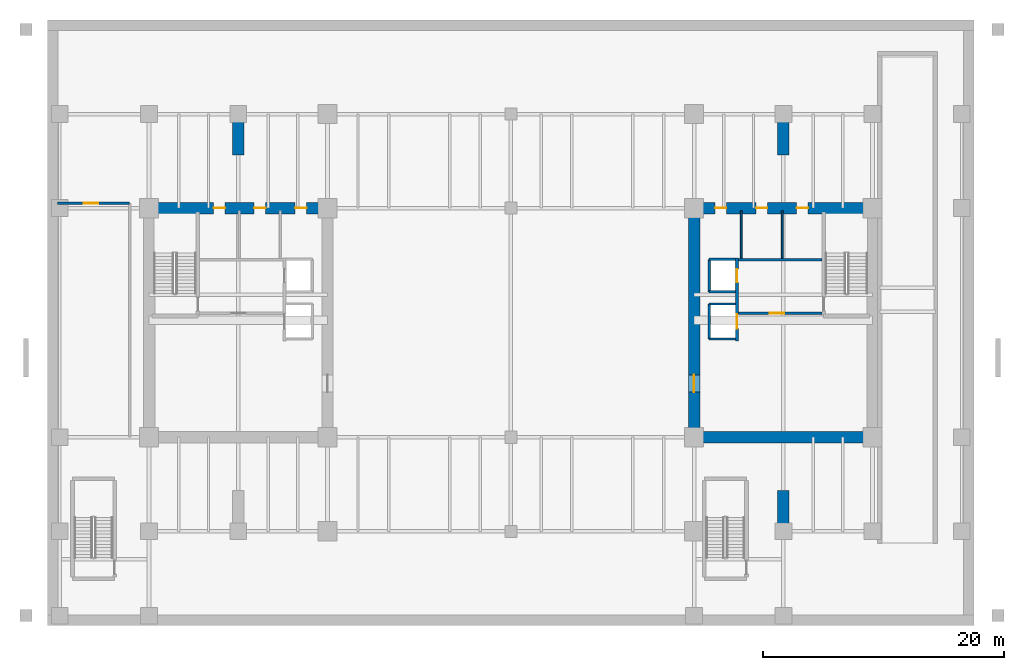
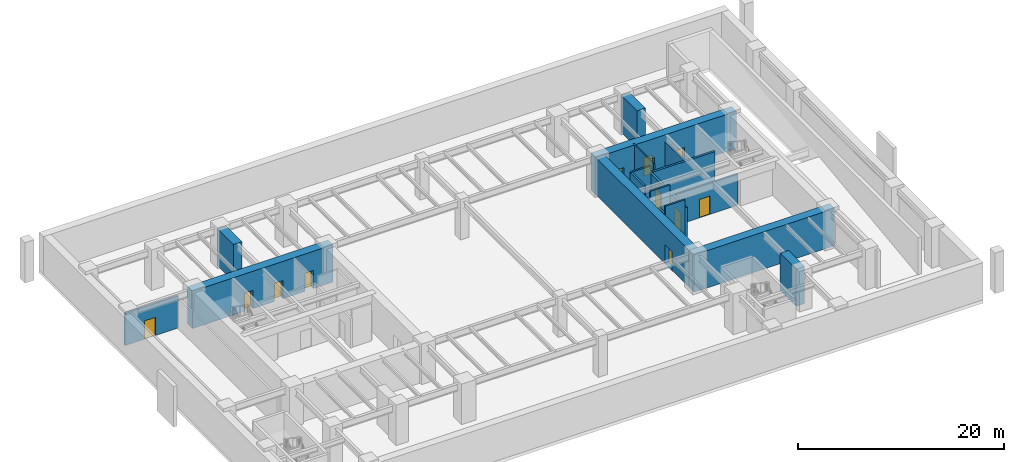
# One storey, part 3 of 6: 19 walls, 11 doors, 11 openings.
"""IFC4 building model written with IfcOpenShell, lengths in metres."""

from ifc_helpers import new_model, si_unit, direction, frame, frame_2d, origin, place, context, subcontext, project, spatial, rectangle, extrude, source, transform, mapped, material, layer, layer_set, type_object, type_shapes, element, fill, save


model = new_model("IFC4")

# Units and contexts
model_context = context("Model", 3, precision=1e-05, world=origin(), true_north=direction((0.0, 1.0)))
body_context = subcontext(model_context, "Body", "Model", "MODEL_VIEW")
ifc_project = project(units=[si_unit("LENGTHUNIT", "METRE"), si_unit("AREAUNIT", "SQUARE_METRE"), si_unit("VOLUMEUNIT", "CUBIC_METRE"), si_unit("PLANEANGLEUNIT", "RADIAN"), si_unit("MASSUNIT", "GRAM", prefix="KILO")], contexts=[model_context])

# Site, building, storey
site_placement = place(None, origin())
site = spatial("IfcSite", under=ifc_project, at=site_placement, CompositionType="ELEMENT")
building_placement = place(site_placement, origin())
building = spatial("IfcBuilding", under=site, at=building_placement, Name="Haelvirn Gate Laboratories", CompositionType="ELEMENT")
storey_placement = place(building_placement, frame((0.0, 0.0, -9.60009765625)))
storey = spatial("IfcBuildingStorey", under=building, at=storey_placement, Name="B2", CompositionType="ELEMENT", Elevation=-9.60009765625)

# Wall, opening, door
ifc_material_1 = material(Name="Fire-rated gypsum shaft-liner partition", Category="gypsum")
ifc_layer_1 = layer(ifc_material_1, 0.18505859375, Name="IW-PART-180")
ifc_layer_set_1 = layer_set([ifc_layer_1], Name="Fire-rated gypsum shaft-liner partition")
wall_type_1 = type_object("IfcWallType", Name="IW-PART-180", PredefinedType="SOLIDWALL", material=ifc_layer_set_1)
wall_1_placement = place(storey_placement, frame((-0.199951171875, 34.199951171875, 0.0), z_axis=(0.0, 0.0, 1.0), x_axis=(1.0, 0.0, 0.0)))
wall_1 = element("IfcWall", 1, at=wall_1_placement, inside=storey, type_object=wall_type_1, Name="B2 Interior Wall IW-B2-CYC-N", PredefinedType="SOLIDWALL", context=body_context, shape_type="SweptSolid", body=[
    extrude(rectangle(XDim=6.0, YDim=0.18505859375, at=frame_2d((3.0, 0.0))), origin(), (0.0, 0.0, 1.0), 3.80517578125),
])
opening_1_placement = place(wall_1_placement, frame((2.199951171875, 0.0, 0.0)))
opening_1 = element("IfcOpeningElement", 2, at=opening_1_placement, cuts=wall_1, Name="Opening FD2", PredefinedType="OPENING", context=body_context, shape_type="SweptSolid", body=[
    extrude(rectangle(XDim=1.199951171875, YDim=2.159912109375, at=frame_2d((0.60009765625, 1.080078125))), frame((0.0, 0.1025390625, 0.0), z_axis=(0.0, -1.0, 0.0), x_axis=(1.0, 0.0, 0.0)), (0.0, 0.0, 1.0), 0.205078125),
])
ifc_material_2 = material(Name="Fire-rated steel SM355 compartment door", Category="steel")
door_type_1 = type_object("IfcDoorType", Name="DR-FD-1200", OperationType="NOTDEFINED", PredefinedType="DOOR", material=ifc_material_2)
shared_shape_1 = source(origin(), body_context, "Body", "SweptSolid", [
    extrude(rectangle(XDim=1.199951171875, YDim=2.159912109375, at=frame_2d((0.60009765625, 1.080078125))), frame((0.0, 0.02490234375, 0.0), z_axis=(0.0, -1.0, 0.0), x_axis=(1.0, 0.0, 0.0)), (0.0, 0.0, 1.0), 0.050048828125),
])
type_shapes(door_type_1, [shared_shape_1])
door_1_placement = place(opening_1_placement, origin())
door_1 = element("IfcDoor", 3, at=door_1_placement, inside=storey, type_object=door_type_1, Name="B2 Cycle Store Door", OperationType="SINGLE_SWING_LEFT", OverallHeight=2.159912109375, OverallWidth=1.199951171875, PredefinedType="DOOR", context=body_context, shape_type="MappedRepresentation", body=[
    mapped(shared_shape_1, transform((0.0, 0.0, 0.0), scale=1.0)),
])
fill(opening_1, door_1)

# Walls
ifc_material_3 = material(Name="Cement-board restroom plumbing chase wall", Category="gypsum")
ifc_layer_2 = layer(ifc_material_3, 0.155029296875, Name="IW-PLUMB-160")
ifc_layer_set_2 = layer_set([ifc_layer_2], Name="Cement-board restroom plumbing chase wall")
wall_type_2 = type_object("IfcWallType", Name="IW-PLUMB-160", PredefinedType="PLUMBINGWALL", material=ifc_layer_set_2)
wall_2_placement = place(storey_placement, frame((59.909912109375, 29.64990234375, 0.0), z_axis=(0.0, 0.0, 1.0), x_axis=(0.0, 1.0, 0.0)))
element("IfcWall", 4, at=wall_2_placement, inside=storey, type_object=wall_type_2, Name="B2 Interior Wall IW-B2-E-CDIV-1", PredefinedType="PLUMBINGWALL", context=body_context, shape_type="SweptSolid", body=[
    extrude(rectangle(XDim=3.93017578125, YDim=0.155029296875, at=frame_2d((1.965087890625, 0.0))), origin(), (0.0, 0.0, 1.0), 3.655029296875),
])
wall_3_placement = place(storey_placement, frame((56.510009765625, 29.64990234375, 0.0), z_axis=(0.0, 0.0, 1.0), x_axis=(0.0, 1.0, 0.0)))
element("IfcWall", 5, at=wall_3_placement, inside=storey, type_object=wall_type_2, Name="B2 Interior Wall IW-B2-E-CDIV-2", PredefinedType="PLUMBINGWALL", context=body_context, shape_type="SweptSolid", body=[
    extrude(rectangle(XDim=3.93017578125, YDim=0.155029296875, at=frame_2d((1.965087890625, 0.0))), origin(), (0.0, 0.0, 1.0), 4.420166015625),
])
ifc_material_4 = material(Name="Concrete C40/50", Category="concrete")
ifc_layer_3 = layer(ifc_material_4, 0.199951171875, Name="IW-SHAFT-200")
ifc_layer_set_3 = layer_set([ifc_layer_3], Name="Concrete C40/50")
wall_type_3 = type_object("IfcWallType", Name="IW-SHAFT-200", PredefinedType="SOLIDWALL", material=ifc_layer_set_3)
wall_4_placement = place(storey_placement, frame((53.85009765625, 26.85009765625, 0.0), z_axis=(0.0, 0.0, 1.0), x_axis=(0.0, 1.0, 0.0)))
element("IfcWall", 6, at=wall_4_placement, inside=storey, type_object=wall_type_3, Name="B2 Interior Wall IW-B2-FL2-BK", PredefinedType="SOLIDWALL", context=body_context, shape_type="SweptSolid", body=[
    extrude(rectangle(XDim=2.699951171875, YDim=0.199951171875, at=frame_2d((1.35009765625, 0.0))), origin(), (0.0, 0.0, 1.0), 4.420166015625),
])
wall_5_placement = place(storey_placement, frame((53.85009765625, 29.550048828125, 0.0), z_axis=(0.0, 0.0, 1.0), x_axis=(1.0, 0.0, 0.0)))
element("IfcWall", 7, at=wall_5_placement, inside=storey, type_object=wall_type_3, Name="B2 Interior Wall IW-B2-FL2-N", PredefinedType="SOLIDWALL", context=body_context, shape_type="SweptSolid", body=[
    extrude(rectangle(XDim=2.18994140625, YDim=0.199951171875, at=frame_2d((1.094970703125, 0.0))), origin(), (0.0, 0.0, 1.0), 4.420166015625),
])
wall_6_placement = place(storey_placement, frame((53.85009765625, 26.85009765625, 0.0), z_axis=(0.0, 0.0, 1.0), x_axis=(1.0, 0.0, 0.0)))
element("IfcWall", 8, at=wall_6_placement, inside=storey, type_object=wall_type_3, Name="B2 Interior Wall IW-B2-FL2-S", PredefinedType="SOLIDWALL", context=body_context, shape_type="SweptSolid", body=[
    extrude(rectangle(XDim=2.18994140625, YDim=0.199951171875, at=frame_2d((1.094970703125, 0.0))), origin(), (0.0, 0.0, 1.0), 3.817138671875),
])
wall_7_placement = place(storey_placement, frame((53.85009765625, 22.949951171875, 0.0), z_axis=(0.0, 0.0, 1.0), x_axis=(0.0, 1.0, 0.0)))
element("IfcWall", 9, at=wall_7_placement, inside=storey, type_object=wall_type_3, Name="B2 Interior Wall IW-B2-SL2-BK", PredefinedType="SOLIDWALL", context=body_context, shape_type="SweptSolid", body=[
    extrude(rectangle(XDim=2.900146484375, YDim=0.199951171875, at=frame_2d((1.4501953125, 0.0))), origin(), (0.0, 0.0, 1.0), 3.505126953125),
])
for number, where, z_axis, x_axis, name in (
    (10, (53.85009765625, 25.85009765625, 0.0), (0.0, 0.0, 1.0), (1.0, 0.0, 0.0), "B2 Interior Wall IW-B2-SL2-N"),
    (11, (53.85009765625, 22.949951171875, 0.0), (0.0, 0.0, 1.0), (1.0, 0.0, 0.0), "B2 Interior Wall IW-B2-SL2-S"),
):
    element("IfcWall", number, at=place(storey_placement, frame(where, z_axis=z_axis, x_axis=x_axis)), inside=storey, type_object=wall_type_3, Name=name, PredefinedType="SOLIDWALL", context=body_context, shape_type="SweptSolid", body=[
        extrude(rectangle(XDim=2.18994140625, YDim=0.199951171875, at=frame_2d((1.094970703125, 0.0))), origin(), (0.0, 0.0, 1.0), 4.420166015625),
    ])

# Wall, opening, door
ifc_layer_4 = layer(ifc_material_4, 0.239990234375, Name="IW-SHAFT-240")
ifc_layer_set_4 = layer_set([ifc_layer_4], Name="Concrete C40/50")
wall_type_4 = type_object("IfcWallType", Name="IW-SHAFT-240", PredefinedType="SOLIDWALL", material=ifc_layer_set_4)
wall_8_placement = place(storey_placement, frame((56.280029296875, 25.080078125, 0.0), z_axis=(0.0, 0.0, 1.0), x_axis=(1.0, 0.0, 0.0)))
wall_8 = element("IfcWall", 12, at=wall_8_placement, inside=storey, type_object=wall_type_4, Name="B2 Interior Wall IW-B2-E-FF-S", PredefinedType="SOLIDWALL", context=body_context, shape_type="SweptSolid", body=[
    extrude(rectangle(XDim=6.919921875, YDim=0.239990234375, at=frame_2d((3.4599609375, 0.0))), origin(), (0.0, 0.0, 1.0), 3.655029296875),
])
opening_2_placement = place(wall_8_placement, frame((2.60009765625, 0.0, 0.0)))
opening_2 = element("IfcOpeningElement", 13, at=opening_2_placement, cuts=wall_8, Name="Opening FD2", PredefinedType="OPENING", context=body_context, shape_type="SweptSolid", body=[
    extrude(rectangle(XDim=1.199951171875, YDim=2.159912109375, at=frame_2d((0.60009765625, 1.080078125))), frame((0.0, 0.1298828125, 0.0), z_axis=(0.0, -1.0, 0.0), x_axis=(1.0, 0.0, 0.0)), (0.0, 0.0, 1.0), 0.260009765625),
])
door_2_placement = place(opening_2_placement, origin())
door_2 = element("IfcDoor", 14, at=door_2_placement, inside=storey, type_object=door_type_1, Name="B2 East Firefighting Lobby Door", OperationType="SINGLE_SWING_LEFT", OverallHeight=2.159912109375, OverallWidth=1.199951171875, PredefinedType="DOOR", context=body_context, shape_type="MappedRepresentation", body=[
    mapped(shared_shape_1, transform((0.0, 0.0, 0.0), scale=1.0)),
])
fill(opening_2, door_2)

# Wall
wall_9_placement = place(storey_placement, frame((56.280029296875, 29.52001953125, 0.0), z_axis=(0.0, 0.0, 1.0), x_axis=(1.0, 0.0, 0.0)))
element("IfcWall", 15, at=wall_9_placement, inside=storey, type_object=wall_type_4, Name="B2 Interior Wall IW-B2-E-FF-N", PredefinedType="SOLIDWALL", context=body_context, shape_type="SweptSolid", body=[
    extrude(rectangle(XDim=6.919921875, YDim=0.239990234375, at=frame_2d((3.4599609375, 0.0))), origin(), (0.0, 0.0, 1.0), 3.655029296875),
])

# Wall, openings, doors
wall_10_placement = place(storey_placement, frame((56.159912109375, 22.800048828125, 0.0), z_axis=(0.0, 0.0, 1.0), x_axis=(0.0, 1.0, 0.0)))
wall_10 = element("IfcWall", 16, at=wall_10_placement, inside=storey, type_object=wall_type_4, Name="B2 Interior Wall IW-B2-E-FF-E", PredefinedType="SOLIDWALL", context=body_context, shape_type="SweptSolid", body=[
    extrude(rectangle(XDim=6.849853515625, YDim=0.239990234375, at=frame_2d((3.4248046875, 0.0))), origin(), (0.0, 0.0, 1.0), 3.505126953125),
])
opening_3_placement = place(wall_10_placement, frame((4.85009765625, 0.0, 0.0)))
opening_3 = element("IfcOpeningElement", 17, at=opening_3_placement, cuts=wall_10, Name="Opening LD2", PredefinedType="OPENING", context=body_context, shape_type="SweptSolid", body=[
    extrude(rectangle(XDim=1.10009765625, YDim=2.219970703125, at=frame_2d((0.550048828125, 1.10986328125))), frame((0.0, 0.1298828125, 0.0), z_axis=(0.0, -1.0, 0.0), x_axis=(1.0, 0.0, 0.0)), (0.0, 0.0, 1.0), 0.260009765625),
])
opening_4_placement = place(wall_10_placement, frame((1.0, 0.0, 0.0)))
opening_4 = element("IfcOpeningElement", 18, at=opening_4_placement, cuts=wall_10, Name="Opening LD1", PredefinedType="OPENING", context=body_context, shape_type="SweptSolid", body=[
    extrude(rectangle(XDim=1.199951171875, YDim=2.219970703125, at=frame_2d((0.60009765625, 1.10986328125))), frame((0.0, 0.1298828125, 0.0), z_axis=(0.0, -1.0, 0.0), x_axis=(1.0, 0.0, 0.0)), (0.0, 0.0, 1.0), 0.260009765625),
])
ifc_material_5 = material(Name="Bronze stainless 316L sliding lift landing door")
door_type_2 = type_object("IfcDoorType", Name="DR-LD-1100", OperationType="NOTDEFINED", PredefinedType="USERDEFINED", material=ifc_material_5)
shared_shape_2 = source(origin(), body_context, "Body", "SweptSolid", [
    extrude(rectangle(XDim=1.10009765625, YDim=2.219970703125, at=frame_2d((0.550048828125, 1.10986328125))), frame((0.0, 0.02490234375, 0.0), z_axis=(0.0, -1.0, 0.0), x_axis=(1.0, 0.0, 0.0)), (0.0, 0.0, 1.0), 0.050048828125),
])
type_shapes(door_type_2, [shared_shape_2])
door_3_placement = place(opening_3_placement, origin())
door_3 = element("IfcDoor", 19, at=door_3_placement, inside=storey, type_object=door_type_2, Name="B2 Firefighting Lift FL2 Landing Door", ObjectType="LANDING_DOOR", OperationType="SLIDING_TO_RIGHT", OverallHeight=2.219970703125, OverallWidth=1.10009765625, PredefinedType="USERDEFINED", context=body_context, shape_type="MappedRepresentation", body=[
    mapped(shared_shape_2, transform((0.0, 0.0, 0.0), scale=1.0)),
])
fill(opening_3, door_3)
ifc_material_6 = material(Name="Stainless steel 316L sliding goods landing door", Category="steel")
door_type_3 = type_object("IfcDoorType", Name="DR-LD-1200", OperationType="NOTDEFINED", PredefinedType="USERDEFINED", material=ifc_material_6)
shared_shape_3 = source(origin(), body_context, "Body", "SweptSolid", [
    extrude(rectangle(XDim=1.199951171875, YDim=2.219970703125, at=frame_2d((0.60009765625, 1.10986328125))), frame((0.0, 0.02490234375, 0.0), z_axis=(0.0, -1.0, 0.0), x_axis=(1.0, 0.0, 0.0)), (0.0, 0.0, 1.0), 0.050048828125),
])
type_shapes(door_type_3, [shared_shape_3])
door_4_placement = place(opening_4_placement, origin())
door_4 = element("IfcDoor", 20, at=door_4_placement, inside=storey, type_object=door_type_3, Name="B2 Service Lift SL2 Landing Door", ObjectType="LANDING_DOOR", OperationType="SLIDING_TO_LEFT", OverallHeight=2.219970703125, OverallWidth=1.199951171875, PredefinedType="USERDEFINED", context=body_context, shape_type="MappedRepresentation", body=[
    mapped(shared_shape_3, transform((0.0, 0.0, 0.0), scale=1.0)),
])
fill(opening_4, door_4)

ifc_material_7 = material(Name="Concrete C70/85", Category="concrete")
ifc_layer_5 = layer(ifc_material_7, 0.949951171875, Name="SW-CORE-950")
ifc_layer_set_5 = layer_set([ifc_layer_5], Name="Concrete C70/85")
wall_type_5 = type_object("IfcWallType", Name="SW-CORE-950", PredefinedType="SHEAR", material=ifc_layer_set_5)
wall_11_placement = place(storey_placement, frame((6.925048828125, 33.800048828125, 0.0), z_axis=(0.0, 0.0, 1.0), x_axis=(1.0, 0.0, 0.0)))
wall_11 = element("IfcWall", 21, at=wall_11_placement, inside=storey, type_object=wall_type_5, Name="B2 W Core Shear Wall N", PredefinedType="SHEAR", context=body_context, shape_type="SweptSolid", body=[
    extrude(rectangle(XDim=15.75, YDim=0.949951171875, at=frame_2d((7.875, 0.0))), origin(), (0.0, 0.0, 1.0), 4.420166015625),
])
opening_5_placement = place(wall_11_placement, frame((5.824951171875, 0.0, 0.0)))
opening_5 = element("IfcOpeningElement", 22, at=opening_5_placement, cuts=wall_11, Name="Opening FD4", PredefinedType="OPENING", context=body_context, shape_type="SweptSolid", body=[
    extrude(rectangle(XDim=0.949951171875, YDim=2.14990234375, at=frame_2d((0.47509765625, 1.074951171875))), frame((0.0, 0.48486328125, 0.0), z_axis=(0.0, -1.0, 0.0), x_axis=(1.0, 0.0, 0.0)), (0.0, 0.0, 1.0), 0.969970703125),
])
opening_6_placement = place(wall_11_placement, frame((9.18994140625, 0.0, 0.0)))
opening_6 = element("IfcOpeningElement", 23, at=opening_6_placement, cuts=wall_11, Name="Opening FD4", PredefinedType="OPENING", context=body_context, shape_type="SweptSolid", body=[
    extrude(rectangle(XDim=0.949951171875, YDim=2.14990234375, at=frame_2d((0.47509765625, 1.074951171875))), frame((0.0, 0.48486328125, 0.0), z_axis=(0.0, -1.0, 0.0), x_axis=(1.0, 0.0, 0.0)), (0.0, 0.0, 1.0), 0.969970703125),
])
opening_7_placement = place(wall_11_placement, frame((12.590087890625, 0.0, 0.0)))
opening_7 = element("IfcOpeningElement", 24, at=opening_7_placement, cuts=wall_11, Name="Opening FD4", PredefinedType="OPENING", context=body_context, shape_type="SweptSolid", body=[
    extrude(rectangle(XDim=0.949951171875, YDim=2.14990234375, at=frame_2d((0.47509765625, 1.074951171875))), frame((0.0, 0.48486328125, 0.0), z_axis=(0.0, -1.0, 0.0), x_axis=(1.0, 0.0, 0.0)), (0.0, 0.0, 1.0), 0.969970703125),
])
ifc_material_8 = material(Name="Fire-rated steel SM355 core service door", Category="steel")
door_type_4 = type_object("IfcDoorType", Name="DR-FD-950", OperationType="NOTDEFINED", PredefinedType="DOOR", material=ifc_material_8)
shared_shape_4 = source(origin(), body_context, "Body", "SweptSolid", [
    extrude(rectangle(XDim=0.949951171875, YDim=2.14990234375, at=frame_2d((0.47509765625, 1.074951171875))), frame((0.0, 0.02490234375, 0.0), z_axis=(0.0, -1.0, 0.0), x_axis=(1.0, 0.0, 0.0)), (0.0, 0.0, 1.0), 0.050048828125),
])
type_shapes(door_type_4, [shared_shape_4])
door_5_placement = place(opening_5_placement, origin())
door_5 = element("IfcDoor", 25, at=door_5_placement, inside=storey, type_object=door_type_4, Name="B2 Male Restroom Fire Door", OperationType="SINGLE_SWING_RIGHT", OverallHeight=2.14990234375, OverallWidth=0.949951171875, PredefinedType="DOOR", context=body_context, shape_type="MappedRepresentation", body=[
    mapped(shared_shape_4, transform((0.0, 0.0, 0.0), scale=1.0)),
])
fill(opening_5, door_5)
door_6_placement = place(opening_6_placement, origin())
door_6 = element("IfcDoor", 26, at=door_6_placement, inside=storey, type_object=door_type_4, Name="B2 Female Restroom Fire Door", OperationType="SINGLE_SWING_LEFT", OverallHeight=2.14990234375, OverallWidth=0.949951171875, PredefinedType="DOOR", context=body_context, shape_type="MappedRepresentation", body=[
    mapped(shared_shape_4, transform((0.0, 0.0, 0.0), scale=1.0)),
])
fill(opening_6, door_6)
door_7_placement = place(opening_7_placement, origin())
door_7 = element("IfcDoor", 27, at=door_7_placement, inside=storey, type_object=door_type_4, Name="B2 Accessible Restroom Fire Door", OperationType="SINGLE_SWING_RIGHT", OverallHeight=2.14990234375, OverallWidth=0.949951171875, PredefinedType="DOOR", context=body_context, shape_type="MappedRepresentation", body=[
    mapped(shared_shape_4, transform((0.0, 0.0, 0.0), scale=1.0)),
])
fill(opening_7, door_7)

# Wall
wall_12_placement = place(storey_placement, frame((52.125, 14.800048828125, 0.0), z_axis=(0.0, 0.0, 1.0), x_axis=(1.0, 0.0, 0.0)))
element("IfcWall", 28, at=wall_12_placement, inside=storey, type_object=wall_type_5, Name="B2 E Core Shear Wall S", PredefinedType="SHEAR", context=body_context, shape_type="SweptSolid", body=[
    extrude(rectangle(XDim=15.75, YDim=0.949951171875, at=frame_2d((7.875, 0.0))), origin(), (0.0, 0.0, 1.0), 4.420166015625),
])

# Wall, openings, doors
wall_13_placement = place(storey_placement, frame((52.125, 33.800048828125, 0.0), z_axis=(0.0, 0.0, 1.0), x_axis=(1.0, 0.0, 0.0)))
wall_13 = element("IfcWall", 29, at=wall_13_placement, inside=storey, type_object=wall_type_5, Name="B2 E Core Shear Wall N", PredefinedType="SHEAR", context=body_context, shape_type="SweptSolid", body=[
    extrude(rectangle(XDim=15.75, YDim=0.949951171875, at=frame_2d((7.875, 0.0))), origin(), (0.0, 0.0, 1.0), 4.420166015625),
])
opening_8_placement = place(wall_13_placement, frame((8.97509765625, 0.0, 0.0)))
opening_8 = element("IfcOpeningElement", 30, at=opening_8_placement, cuts=wall_13, Name="Opening FD4", PredefinedType="OPENING", context=body_context, shape_type="SweptSolid", body=[
    extrude(rectangle(XDim=0.949951171875, YDim=2.14990234375, at=frame_2d((0.47509765625, 1.074951171875))), frame((0.0, 0.48486328125, 0.0), z_axis=(0.0, -1.0, 0.0), x_axis=(1.0, 0.0, 0.0)), (0.0, 0.0, 1.0), 0.969970703125),
])
opening_9_placement = place(wall_13_placement, frame((5.610107421875, 0.0, 0.0)))
opening_9 = element("IfcOpeningElement", 31, at=opening_9_placement, cuts=wall_13, Name="Opening FD4", PredefinedType="OPENING", context=body_context, shape_type="SweptSolid", body=[
    extrude(rectangle(XDim=0.949951171875, YDim=2.14990234375, at=frame_2d((0.47509765625, 1.074951171875))), frame((0.0, 0.48486328125, 0.0), z_axis=(0.0, -1.0, 0.0), x_axis=(1.0, 0.0, 0.0)), (0.0, 0.0, 1.0), 0.969970703125),
])
opening_10_placement = place(wall_13_placement, frame((2.2099609375, 0.0, 0.0)))
opening_10 = element("IfcOpeningElement", 32, at=opening_10_placement, cuts=wall_13, Name="Opening FD4", PredefinedType="OPENING", context=body_context, shape_type="SweptSolid", body=[
    extrude(rectangle(XDim=0.949951171875, YDim=2.14990234375, at=frame_2d((0.47509765625, 1.074951171875))), frame((0.0, 0.48486328125, 0.0), z_axis=(0.0, -1.0, 0.0), x_axis=(1.0, 0.0, 0.0)), (0.0, 0.0, 1.0), 0.969970703125),
])
door_8_placement = place(opening_8_placement, origin())
door_8 = element("IfcDoor", 33, at=door_8_placement, inside=storey, type_object=door_type_4, Name="B2 Male Restroom Fire Door", OperationType="SINGLE_SWING_RIGHT", OverallHeight=2.14990234375, OverallWidth=0.949951171875, PredefinedType="DOOR", context=body_context, shape_type="MappedRepresentation", body=[
    mapped(shared_shape_4, transform((0.0, 0.0, 0.0), scale=1.0)),
])
fill(opening_8, door_8)
door_9_placement = place(opening_9_placement, origin())
door_9 = element("IfcDoor", 34, at=door_9_placement, inside=storey, type_object=door_type_4, Name="B2 Female Restroom Fire Door", OperationType="SINGLE_SWING_LEFT", OverallHeight=2.14990234375, OverallWidth=0.949951171875, PredefinedType="DOOR", context=body_context, shape_type="MappedRepresentation", body=[
    mapped(shared_shape_4, transform((0.0, 0.0, 0.0), scale=1.0)),
])
fill(opening_9, door_9)
door_10_placement = place(opening_10_placement, origin())
door_10 = element("IfcDoor", 35, at=door_10_placement, inside=storey, type_object=door_type_4, Name="B2 Accessible Restroom Fire Door", OperationType="SINGLE_SWING_RIGHT", OverallHeight=2.14990234375, OverallWidth=0.949951171875, PredefinedType="DOOR", context=body_context, shape_type="MappedRepresentation", body=[
    mapped(shared_shape_4, transform((0.0, 0.0, 0.0), scale=1.0)),
])
fill(opening_10, door_10)

# Wall, opening, door
wall_14_placement = place(storey_placement, frame((52.60009765625, 15.27490234375, 0.0), z_axis=(0.0, 0.0, 1.0), x_axis=(0.0, 1.0, 0.0)))
wall_14 = element("IfcWall", 36, at=wall_14_placement, inside=storey, type_object=wall_type_5, Name="B2 E Core Shear Wall W", PredefinedType="SHEAR", context=body_context, shape_type="SweptSolid", body=[
    extrude(rectangle(XDim=18.050048828125, YDim=0.949951171875, at=frame_2d((9.02490234375, 0.0))), origin(), (0.0, 0.0, 1.0), 4.420166015625),
])
opening_11_placement = place(wall_14_placement, frame((3.27490234375, 0.0, 0.0)))
opening_11 = element("IfcOpeningElement", 37, at=opening_11_placement, cuts=wall_14, Name="Opening FD1", PredefinedType="OPENING", context=body_context, shape_type="SweptSolid", body=[
    extrude(rectangle(XDim=1.419921875, YDim=2.199951171875, at=frame_2d((0.7099609375, 1.10009765625))), frame((0.0, 0.48486328125, 0.0), z_axis=(0.0, -1.0, 0.0), x_axis=(1.0, 0.0, 0.0)), (0.0, 0.0, 1.0), 0.969970703125),
])
ifc_material_9 = material(Name="Fire-rated double steel SM355 lobby door", Category="steel")
door_type_5 = type_object("IfcDoorType", Name="DR-FD-1400", OperationType="NOTDEFINED", PredefinedType="DOOR", material=ifc_material_9)
shared_shape_5 = source(origin(), body_context, "Body", "SweptSolid", [
    extrude(rectangle(XDim=1.419921875, YDim=2.199951171875, at=frame_2d((0.7099609375, 1.10009765625))), frame((0.0, 0.02490234375, 0.0), z_axis=(0.0, -1.0, 0.0), x_axis=(1.0, 0.0, 0.0)), (0.0, 0.0, 1.0), 0.050048828125),
])
type_shapes(door_type_5, [shared_shape_5])
door_11_placement = place(opening_11_placement, origin())
door_11 = element("IfcDoor", 38, at=door_11_placement, inside=storey, type_object=door_type_5, Name="B2 East Core Lift Lobby Fire Door", OperationType="DOUBLE_DOOR_SINGLE_SWING", OverallHeight=2.199951171875, OverallWidth=1.419921875, PredefinedType="DOOR", context=body_context, shape_type="MappedRepresentation", body=[
    mapped(shared_shape_5, transform((0.0, 0.0, 0.0), scale=1.0)),
])
fill(opening_11, door_11)

# Walls
wall_15_placement = place(storey_placement, frame((14.800048828125, 38.199951171875, 0.0), z_axis=(0.0, 0.0, 1.0), x_axis=(0.0, 1.0, 0.0)))
element("IfcWall", 39, at=wall_15_placement, inside=storey, type_object=wall_type_5, Name="B2 Transverse Slab Shear Wall W-N", PredefinedType="SHEAR", context=body_context, shape_type="SweptSolid", body=[
    extrude(rectangle(XDim=3.10009765625, YDim=0.949951171875, at=frame_2d((1.550048828125, 0.0))), origin(), (0.0, 0.0, 1.0), 4.420166015625),
])
wall_16_placement = place(storey_placement, frame((60.0, 7.300048828125, 0.0), z_axis=(0.0, 0.0, 1.0), x_axis=(0.0, 1.0, 0.0)))
element("IfcWall", 40, at=wall_16_placement, inside=storey, type_object=wall_type_5, Name="B2 Transverse Slab Shear Wall E-S", PredefinedType="SHEAR", context=body_context, shape_type="SweptSolid", body=[
    extrude(rectangle(XDim=3.099853515625, YDim=0.949951171875, at=frame_2d((1.5498046875, 0.0))), origin(), (0.0, 0.0, 1.0), 4.420166015625),
])
wall_17_placement = place(storey_placement, frame((60.0, 38.199951171875, 0.0), z_axis=(0.0, 0.0, 1.0), x_axis=(0.0, 1.0, 0.0)))
element("IfcWall", 41, at=wall_17_placement, inside=storey, type_object=wall_type_5, Name="B2 Transverse Slab Shear Wall E-N", PredefinedType="SHEAR", context=body_context, shape_type="SweptSolid", body=[
    extrude(rectangle(XDim=3.10009765625, YDim=0.949951171875, at=frame_2d((1.550048828125, 0.0))), origin(), (0.0, 0.0, 1.0), 4.420166015625),
])

save(model, "model.ifc")
